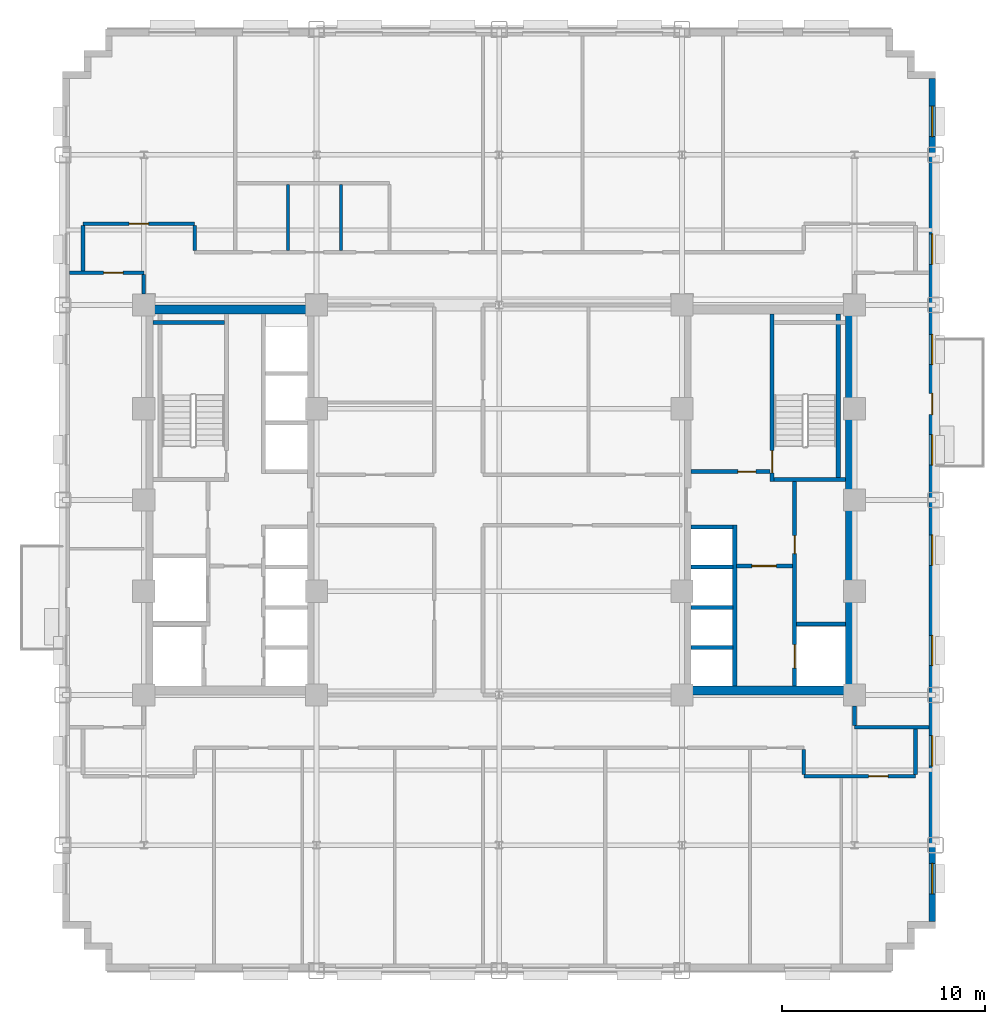
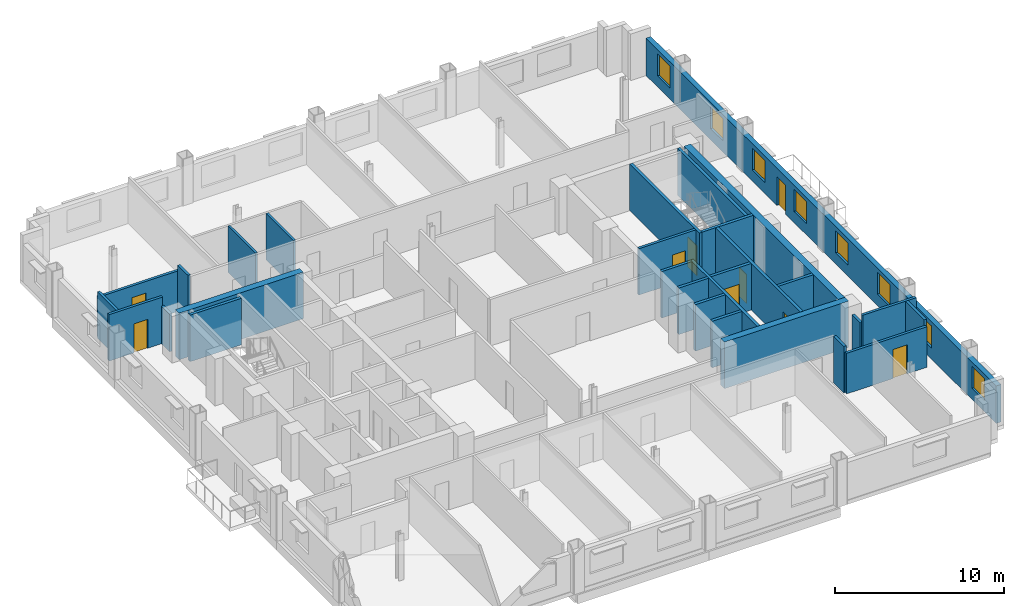
# One storey, part 8 of 14: 29 walls, 9 doors, 8 windows, 17 openings.
"""IFC4 building model written with IfcOpenShell, lengths in metres."""

import ifcopenshell
import ifcopenshell.guid

model = None  # the IFC model being written
_history = None  # IfcOwnerHistory: only IFC2X3 demands one
_inside = {}  # id of a spatial element -> (the spatial element, [elements in it])
_under = {}  # id of a project, library or spatial element -> (it, [spatial elements below it])
_declared = {}  # id of a project -> (the project, [libraries it declares])
_typed = {}  # id of a type object -> (the type object, [elements of that type])
_made_of = {}  # id of a material, layer set ... -> (it, [elements and type objects made of it])


def new_model(schema):
    """Start an empty IFC model of exactly this schema.

    Asked for "IFC4X3", IfcOpenShell would pick the latest addendum, in which some entities
    have other attributes; the version numbers below select the first issue.
    IFC2X3 requires an IfcOwnerHistory on every rooted entity: one is made here for all.
    """
    global model, _history
    if schema == "IFC4X3":
        model = ifcopenshell.file(schema_version=(4, 3, 0, 0))
    else:
        model = ifcopenshell.file(schema=schema)
    _inside.clear()
    _under.clear()
    _declared.clear()
    _typed.clear()
    _made_of.clear()
    _history = None
    if model.schema == "IFC2X3":
        org = make("IfcOrganization", Name="unknown")
        user = make(
            "IfcPersonAndOrganization",
            ThePerson=make("IfcPerson", FamilyName="unknown"),
            TheOrganization=org,
        )
        app = make(
            "IfcApplication",
            ApplicationDeveloper=org,
            Version="unknown",
            ApplicationFullName="unknown",
            ApplicationIdentifier="unknown",
        )
        _history = make(
            "IfcOwnerHistory",
            OwningUser=user,
            OwningApplication=app,
            ChangeAction="ADDED",
            CreationDate=0,
        )
    return model


def make(cls, **values):
    """One entity of the class cls with the attributes given. An attribute that is None is left unset."""
    return model.create_entity(
        cls, **{name: value for name, value in values.items() if value is not None}
    )


def rooted(cls, **values):
    """An entity with a GlobalId (a new one), such as an element, a storey or a relation."""
    return make(cls, GlobalId=ifcopenshell.guid.new(), OwnerHistory=_history, **values)


def si_unit(unit_type, name, prefix=None):
    """IfcSIUnit, for example si_unit("LENGTHUNIT", "METRE", prefix="MILLI")."""
    return make("IfcSIUnit", UnitType=unit_type, Prefix=prefix, Name=name)


def assignment(units):
    """IfcUnitAssignment: the units of a project."""
    return None if units is None else make("IfcUnitAssignment", Units=units)


def point(xyz):
    """IfcCartesianPoint."""
    return None if xyz is None else make("IfcCartesianPoint", Coordinates=xyz)


def direction(xyz):
    """IfcDirection."""
    return None if xyz is None else make("IfcDirection", DirectionRatios=xyz)


def frame(location, z_axis=None, x_axis=None):
    """IfcAxis2Placement3D, a coordinate frame: its origin and axes. An axis left out is left unset."""
    return make(
        "IfcAxis2Placement3D",
        Location=point(location),
        Axis=direction(z_axis),
        RefDirection=direction(x_axis),
    )


def frame_2d(location, x_axis=None):
    """IfcAxis2Placement2D, a coordinate frame in the plane: its origin and x axis."""
    return make(
        "IfcAxis2Placement2D", Location=point(location), RefDirection=direction(x_axis)
    )


def origin():
    """The frame at (0, 0, 0) with its axes left unset."""
    return frame((0.0, 0.0, 0.0))


def place(relative_to, where):
    """IfcLocalPlacement: puts the frame where relative to a parent placement (None: the world)."""
    return make(
        "IfcLocalPlacement", PlacementRelTo=relative_to, RelativePlacement=where
    )


def context(
    kind, dimensions, precision=None, world=None, true_north=None, identifier=None
):
    """IfcGeometricRepresentationContext, for example the 3D "Model" context."""
    return make(
        "IfcGeometricRepresentationContext",
        ContextIdentifier=identifier,
        ContextType=kind,
        CoordinateSpaceDimension=dimensions,
        Precision=precision,
        WorldCoordinateSystem=world,
        TrueNorth=true_north,
    )


def subcontext(parent, identifier, kind, view, scale=None):
    """IfcGeometricRepresentationSubContext, for example "Body" below "Model"."""
    return make(
        "IfcGeometricRepresentationSubContext",
        ContextIdentifier=identifier,
        ContextType=kind,
        ParentContext=parent,
        TargetScale=scale,
        TargetView=view,
    )


def project(units=None, contexts=None):
    """IfcProject with its units and contexts."""
    return rooted(
        "IfcProject",
        Name="project",
        RepresentationContexts=contexts,
        UnitsInContext=assignment(units),
    )


def spatial(cls, under=None, at=None, **own):
    """A site, building, storey or space (cls), placed at a placement, below another one or the project."""
    s = rooted(cls, ObjectPlacement=at, **own)
    if under is not None:
        _under.setdefault(under.id(), (under, []))[1].append(s)
    return s


def profile(cls, at=None, kind="AREA", **sizes):
    """A parametric profile (cls). Its sizes go by their IFC names, for example OverallWidth=200.0."""
    return make(cls, ProfileType=kind, Position=at, **sizes)


def rectangle(**sizes):
    """IfcRectangleProfileDef."""
    return profile("IfcRectangleProfileDef", **sizes)


def extrude(swept, where, along, depth):
    """IfcExtrudedAreaSolid: the profile swept, set in the frame where, extruded along a direction by depth."""
    return make(
        "IfcExtrudedAreaSolid",
        SweptArea=swept,
        Position=where,
        ExtrudedDirection=direction(along),
        Depth=depth,
    )


def shape(context_of_items, identifier, shape_type, items):
    """IfcShapeRepresentation: the items that make up one representation, for example the "Body"."""
    return make(
        "IfcShapeRepresentation",
        ContextOfItems=context_of_items,
        RepresentationIdentifier=identifier,
        RepresentationType=shape_type,
        Items=items,
    )


def source(mapping_origin, context_of_items, identifier, shape_type, items):
    """IfcRepresentationMap: a shape defined once, which mapped items show again and again."""
    return make(
        "IfcRepresentationMap",
        MappingOrigin=mapping_origin,
        MappedRepresentation=shape(context_of_items, identifier, shape_type, items),
    )


def transform(
    local_origin,
    x_axis=None,
    y_axis=None,
    z_axis=None,
    scale=None,
    scale2=None,
    scale3=None,
    uniform=True,
):
    """IfcCartesianTransformationOperator3D, or its non-uniform kind. x_axis, y_axis, z_axis: its Axis1, 2, 3."""
    if uniform:
        return make(
            "IfcCartesianTransformationOperator3D",
            Axis1=direction(x_axis),
            Axis2=direction(y_axis),
            LocalOrigin=point(local_origin),
            Scale=scale,
            Axis3=direction(z_axis),
        )
    return make(
        "IfcCartesianTransformationOperator3DnonUniform",
        Axis1=direction(x_axis),
        Axis2=direction(y_axis),
        LocalOrigin=point(local_origin),
        Scale=scale,
        Axis3=direction(z_axis),
        Scale2=scale2,
        Scale3=scale3,
    )


def mapped(mapping_source, mapping_target):
    """IfcMappedItem: shows the shape of a source again, moved by a transform."""
    return make(
        "IfcMappedItem", MappingSource=mapping_source, MappingTarget=mapping_target
    )


def material(Name=None, Category=None):
    """IfcMaterial."""
    return make("IfcMaterial", Name=Name, Category=Category)


def layer(
    of_material, thickness, ventilated=None, Name=None, Category=None, Priority=None
):
    """IfcMaterialLayer: one layer of a wall or slab, of a material (None: an air gap)."""
    return make(
        "IfcMaterialLayer",
        Material=of_material,
        LayerThickness=thickness,
        IsVentilated=ventilated,
        Name=Name,
        Category=Category,
        Priority=Priority,
    )


def layer_set(layers, Name=None):
    """IfcMaterialLayerSet."""
    return make("IfcMaterialLayerSet", MaterialLayers=layers, LayerSetName=Name)


def made_of(thing, what):
    """Note that an element or type object is made of a material, layer set ...; save() writes the relation."""
    if what is not None:
        _made_of.setdefault(what.id(), (what, []))[1].append(thing)
    return thing


def type_object(cls, material=None, **own):
    """A type object (cls), such as IfcWallType, which elements share."""
    return made_of(rooted(cls, **own), material)


def type_shapes(of_type, sources):
    """Give a type object the sources (RepresentationMaps) that its elements show as mapped items."""
    of_type.RepresentationMaps = sources


def element(
    cls,
    number,
    at=None,
    inside=None,
    cuts=None,
    type_object=None,
    material=None,
    context=None,
    identifier="Body",
    shape_type=None,
    held_by="IfcProductDefinitionShape",
    body=None,
    shapes=None,
    **own,
):
    """One element of the class cls, such as IfcWall. Its Tag is "e" and its number.

    at: its placement. inside: the storey or other place that contains it. cuts: it is an
    opening in that element (IfcRelVoidsElement). A single representation is given by context,
    identifier, shape_type and body (its items); several are given by shapes. held_by: the class
    of the entity that holds the representations. save() writes the other relations.
    """
    e = rooted(cls, Tag="e%d" % number, ObjectPlacement=at, **own)
    if body is not None:
        shapes = [shape(context, identifier, shape_type, body)]
    if shapes is not None:
        e.Representation = make(held_by, Representations=shapes)
    if inside is not None:
        _inside.setdefault(inside.id(), (inside, []))[1].append(e)
    if cuts is not None:
        rooted(
            "IfcRelVoidsElement", RelatingBuildingElement=cuts, RelatedOpeningElement=e
        )
    if type_object is not None:
        _typed.setdefault(type_object.id(), (type_object, []))[1].append(e)
    return made_of(e, material)


def fill(opening, filler):
    """IfcRelFillsElement: the door or window that sits in an opening."""
    return rooted(
        "IfcRelFillsElement",
        RelatingOpeningElement=opening,
        RelatedBuildingElement=filler,
    )


def aggregate(whole, parts):
    """IfcRelAggregates: a whole, such as a stair, and the parts it consists of."""
    return rooted("IfcRelAggregates", RelatingObject=whole, RelatedObjects=parts)


def save(model, path):
    """Write the relations noted so far, then the file.

    IfcRelAggregates (storeys below a building ...), IfcRelContainedInSpatialStructure (elements
    in a storey), IfcRelDefinesByType, IfcRelAssociatesMaterial and IfcRelDeclares: one each for
    every whole, place, type object, material and project.
    """
    for whole, parts in _under.values():
        aggregate(whole, parts)
    for where, things in _inside.values():
        rooted(
            "IfcRelContainedInSpatialStructure",
            RelatedElements=things,
            RelatingStructure=where,
        )
    for kind, things in _typed.values():
        rooted("IfcRelDefinesByType", RelatedObjects=things, RelatingType=kind)
    for what, things in _made_of.values():
        rooted("IfcRelAssociatesMaterial", RelatedObjects=things, RelatingMaterial=what)
    for by, libraries in _declared.values():
        rooted("IfcRelDeclares", RelatingContext=by, RelatedDefinitions=libraries)
    model.write(path)


model = new_model("IFC4")

# Units and contexts
model_context = context("Model", 3, precision=1e-05, world=origin(), true_north=direction((0.0, 1.0)))
body_context = subcontext(model_context, "Body", "Model", "MODEL_VIEW")
ifc_project = project(units=[si_unit("LENGTHUNIT", "METRE"), si_unit("AREAUNIT", "SQUARE_METRE"), si_unit("VOLUMEUNIT", "CUBIC_METRE"), si_unit("PLANEANGLEUNIT", "RADIAN"), si_unit("MASSUNIT", "GRAM", prefix="KILO")], contexts=[model_context])

# Site, building, storey
site_placement = place(None, origin())
site = spatial("IfcSite", under=ifc_project, at=site_placement, CompositionType="ELEMENT")
building_placement = place(site_placement, origin())
building = spatial("IfcBuilding", under=site, at=building_placement, Name="Nuvemarco Arch Tower", CompositionType="ELEMENT")
storey_placement = place(building_placement, frame((0.0, 0.0, 75.050048828125)))
storey = spatial("IfcBuildingStorey", under=building, at=storey_placement, Name="L19", CompositionType="ELEMENT", Elevation=75.050048828125)

# Wall, openings, door, windows
ifc_material_1 = material(Name="Precast concrete C45/55", Category="concrete")
ifc_layer_1 = layer(ifc_material_1, 0.340087890625, Name="EW-LOW-340")
ifc_layer_set_1 = layer_set([ifc_layer_1], Name="Precast concrete C45/55")
wall_type_1 = type_object("IfcWallType", Name="EW-LOW-340", PredefinedType="STANDARD", material=ifc_layer_set_1)
wall_1_placement = place(storey_placement, frame((21.330078125, -20.763916015625, 0.0), z_axis=(0.0, 0.0, 1.0), x_axis=(0.0, 1.0, 0.0)))
wall_1 = element("IfcWall", 1, at=wall_1_placement, inside=storey, type_object=wall_type_1, Name="L19 exterior precast facade wall 6", PredefinedType="STANDARD", context=body_context, shape_type="SweptSolid", body=[
    extrude(rectangle(XDim=41.52783203125, YDim=0.340087890625, at=frame_2d((20.763916015625, 0.0))), origin(), (0.0, 0.0, 1.0), 2.704833984375),
])
opening_1_placement = place(wall_1_placement, frame((26.01416015625, 0.0, 0.0), z_axis=(0.0, 0.0, 1.0), x_axis=(-1.0, 0.0, 0.0)))
opening_1 = element("IfcOpeningElement", 2, at=opening_1_placement, cuts=wall_1, Name="Opening ED-5", PredefinedType="OPENING", context=body_context, shape_type="SweptSolid", body=[
    extrude(rectangle(XDim=1.050048828125, YDim=2.10009765625, at=frame_2d((0.52490234375, 1.050048828125))), frame((0.0, 0.179931640625, 0.0), z_axis=(0.0, -1.0, 0.0), x_axis=(1.0, 0.0, 0.0)), (0.0, 0.0, 1.0), 0.360107421875),
])
opening_2_placement = place(wall_1_placement, frame((1.37060546875, 0.0, 0.800048828125)))
opening_2 = element("IfcOpeningElement", 3, at=opening_2_placement, cuts=wall_1, Name="Opening WN-11", PredefinedType="OPENING", context=body_context, shape_type="SweptSolid", body=[
    extrude(rectangle(XDim=1.5, YDim=1.60009765625, at=frame_2d((0.75, 0.800048828125))), frame((0.0, 0.179931640625, 0.0), z_axis=(0.0, -1.0, 0.0), x_axis=(1.0, 0.0, 0.0)), (0.0, 0.0, 1.0), 0.360107421875),
])
opening_3_placement = place(wall_1_placement, frame((7.66162109375, 0.0, 0.800048828125)))
opening_3 = element("IfcOpeningElement", 4, at=opening_3_placement, cuts=wall_1, Name="Opening WN-11", PredefinedType="OPENING", context=body_context, shape_type="SweptSolid", body=[
    extrude(rectangle(XDim=1.5, YDim=1.60009765625, at=frame_2d((0.75, 0.800048828125))), frame((0.0, 0.179931640625, 0.0), z_axis=(0.0, -1.0, 0.0), x_axis=(1.0, 0.0, 0.0)), (0.0, 0.0, 1.0), 0.360107421875),
])
opening_4_placement = place(wall_1_placement, frame((12.6025390625, 0.0, 0.800048828125)))
opening_4 = element("IfcOpeningElement", 5, at=opening_4_placement, cuts=wall_1, Name="Opening WN-11", PredefinedType="OPENING", context=body_context, shape_type="SweptSolid", body=[
    extrude(rectangle(XDim=1.5, YDim=1.60009765625, at=frame_2d((0.75, 0.800048828125))), frame((0.0, 0.179931640625, 0.0), z_axis=(0.0, -1.0, 0.0), x_axis=(1.0, 0.0, 0.0)), (0.0, 0.0, 1.0), 0.360107421875),
])
opening_5_placement = place(wall_1_placement, frame((17.54345703125, 0.0, 0.800048828125)))
opening_5 = element("IfcOpeningElement", 6, at=opening_5_placement, cuts=wall_1, Name="Opening WN-11", PredefinedType="OPENING", context=body_context, shape_type="SweptSolid", body=[
    extrude(rectangle(XDim=1.5, YDim=1.60009765625, at=frame_2d((0.75, 0.800048828125))), frame((0.0, 0.179931640625, 0.0), z_axis=(0.0, -1.0, 0.0), x_axis=(1.0, 0.0, 0.0)), (0.0, 0.0, 1.0), 0.360107421875),
])
opening_6_placement = place(wall_1_placement, frame((22.484619140625, 0.0, 0.800048828125)))
opening_6 = element("IfcOpeningElement", 7, at=opening_6_placement, cuts=wall_1, Name="Opening WN-11", PredefinedType="OPENING", context=body_context, shape_type="SweptSolid", body=[
    extrude(rectangle(XDim=1.5, YDim=1.60009765625, at=frame_2d((0.75, 0.800048828125))), frame((0.0, 0.179931640625, 0.0), z_axis=(0.0, -1.0, 0.0), x_axis=(1.0, 0.0, 0.0)), (0.0, 0.0, 1.0), 0.360107421875),
])
opening_7_placement = place(wall_1_placement, frame((27.425537109375, 0.0, 0.800048828125)))
opening_7 = element("IfcOpeningElement", 8, at=opening_7_placement, cuts=wall_1, Name="Opening WN-11", PredefinedType="OPENING", context=body_context, shape_type="SweptSolid", body=[
    extrude(rectangle(XDim=1.5, YDim=1.60009765625, at=frame_2d((0.75, 0.800048828125))), frame((0.0, 0.179931640625, 0.0), z_axis=(0.0, -1.0, 0.0), x_axis=(1.0, 0.0, 0.0)), (0.0, 0.0, 1.0), 0.360107421875),
])
opening_8_placement = place(wall_1_placement, frame((32.366455078125, 0.0, 0.800048828125)))
opening_8 = element("IfcOpeningElement", 9, at=opening_8_placement, cuts=wall_1, Name="Opening WN-11", PredefinedType="OPENING", context=body_context, shape_type="SweptSolid", body=[
    extrude(rectangle(XDim=1.5, YDim=1.60009765625, at=frame_2d((0.75, 0.800048828125))), frame((0.0, 0.179931640625, 0.0), z_axis=(0.0, -1.0, 0.0), x_axis=(1.0, 0.0, 0.0)), (0.0, 0.0, 1.0), 0.360107421875),
])
opening_9_placement = place(wall_1_placement, frame((38.657470703125, 0.0, 0.800048828125)))
opening_9 = element("IfcOpeningElement", 10, at=opening_9_placement, cuts=wall_1, Name="Opening WN-11", PredefinedType="OPENING", context=body_context, shape_type="SweptSolid", body=[
    extrude(rectangle(XDim=1.5, YDim=1.60009765625, at=frame_2d((0.75, 0.800048828125))), frame((0.0, 0.179931640625, 0.0), z_axis=(0.0, -1.0, 0.0), x_axis=(1.0, 0.0, 0.0)), (0.0, 0.0, 1.0), 0.360107421875),
])
ifc_material_2 = material(Name="Anodised bronze and laminated glass", Category="glass")
door_type_1 = type_object("IfcDoorType", Name="DR-EXT-TERR", OperationType="NOTDEFINED", PredefinedType="DOOR", material=ifc_material_2)
shared_shape_1 = source(origin(), body_context, "Body", "SweptSolid", [
    extrude(rectangle(XDim=1.050048828125, YDim=2.10009765625, at=frame_2d((0.52490234375, 1.050048828125))), frame((0.0, 0.02490234375, 0.0), z_axis=(0.0, -1.0, 0.0), x_axis=(1.0, 0.0, 0.0)), (0.0, 0.0, 1.0), 0.050048828125),
])
type_shapes(door_type_1, [shared_shape_1])
door_1_placement = place(opening_1_placement, origin())
door_1 = element("IfcDoor", 11, at=door_1_placement, inside=storey, type_object=door_type_1, Name="L19 spiral terrace access door", OperationType="SINGLE_SWING_RIGHT", OverallHeight=2.10009765625, OverallWidth=1.050048828125, PredefinedType="DOOR", context=body_context, shape_type="MappedRepresentation", body=[
    mapped(shared_shape_1, transform((0.0, 0.0, 0.0), scale=1.0)),
])
fill(opening_1, door_1)
ifc_material_3 = material(Name="Insulated solar-control glass", Category="glass")
window_type = type_object("IfcWindowType", Name="WN-STEP-1500x1850", PartitioningType="SINGLE_PANEL", PredefinedType="WINDOW", material=ifc_material_3)
shared_shape_2 = source(origin(), body_context, "Body", "SweptSolid", [
    extrude(rectangle(XDim=1.5, YDim=1.60009765625, at=frame_2d((0.75, 0.800048828125))), frame((0.0, 0.030029296875, 0.0), z_axis=(0.0, -1.0, 0.0), x_axis=(1.0, 0.0, 0.0)), (0.0, 0.0, 1.0), 0.06005859375),
])
type_shapes(window_type, [shared_shape_2])
window_1_placement = place(opening_2_placement, origin())
window_1 = element("IfcWindow", 12, at=window_1_placement, inside=storey, type_object=window_type, Name="L19 punched facade window 1", OverallHeight=1.60009765625, OverallWidth=1.5, PartitioningType="SINGLE_PANEL", PredefinedType="WINDOW", context=body_context, shape_type="MappedRepresentation", body=[
    mapped(shared_shape_2, transform((0.0, 0.0, 0.0), scale=1.0)),
])
fill(opening_2, window_1)
window_2_placement = place(opening_3_placement, origin())
window_2 = element("IfcWindow", 13, at=window_2_placement, inside=storey, type_object=window_type, Name="L19 punched facade window 2", OverallHeight=1.60009765625, OverallWidth=1.5, PartitioningType="SINGLE_PANEL", PredefinedType="WINDOW", context=body_context, shape_type="MappedRepresentation", body=[
    mapped(shared_shape_2, transform((0.0, 0.0, 0.0), scale=1.0)),
])
fill(opening_3, window_2)
window_3_placement = place(opening_4_placement, origin())
window_3 = element("IfcWindow", 14, at=window_3_placement, inside=storey, type_object=window_type, Name="L19 punched facade window 3", OverallHeight=1.60009765625, OverallWidth=1.5, PartitioningType="SINGLE_PANEL", PredefinedType="WINDOW", context=body_context, shape_type="MappedRepresentation", body=[
    mapped(shared_shape_2, transform((0.0, 0.0, 0.0), scale=1.0)),
])
fill(opening_4, window_3)
window_4_placement = place(opening_5_placement, origin())
window_4 = element("IfcWindow", 15, at=window_4_placement, inside=storey, type_object=window_type, Name="L19 punched facade window 4", OverallHeight=1.60009765625, OverallWidth=1.5, PartitioningType="SINGLE_PANEL", PredefinedType="WINDOW", context=body_context, shape_type="MappedRepresentation", body=[
    mapped(shared_shape_2, transform((0.0, 0.0, 0.0), scale=1.0)),
])
fill(opening_5, window_4)
window_5_placement = place(opening_6_placement, origin())
window_5 = element("IfcWindow", 16, at=window_5_placement, inside=storey, type_object=window_type, Name="L19 punched facade window 5", OverallHeight=1.60009765625, OverallWidth=1.5, PartitioningType="SINGLE_PANEL", PredefinedType="WINDOW", context=body_context, shape_type="MappedRepresentation", body=[
    mapped(shared_shape_2, transform((0.0, 0.0, 0.0), scale=1.0)),
])
fill(opening_6, window_5)
window_6_placement = place(opening_7_placement, origin())
window_6 = element("IfcWindow", 17, at=window_6_placement, inside=storey, type_object=window_type, Name="L19 punched facade window 6", OverallHeight=1.60009765625, OverallWidth=1.5, PartitioningType="SINGLE_PANEL", PredefinedType="WINDOW", context=body_context, shape_type="MappedRepresentation", body=[
    mapped(shared_shape_2, transform((0.0, 0.0, 0.0), scale=1.0)),
])
fill(opening_7, window_6)
window_7_placement = place(opening_8_placement, origin())
window_7 = element("IfcWindow", 18, at=window_7_placement, inside=storey, type_object=window_type, Name="L19 punched facade window 7", OverallHeight=1.60009765625, OverallWidth=1.5, PartitioningType="SINGLE_PANEL", PredefinedType="WINDOW", context=body_context, shape_type="MappedRepresentation", body=[
    mapped(shared_shape_2, transform((0.0, 0.0, 0.0), scale=1.0)),
])
fill(opening_8, window_7)
window_8_placement = place(opening_9_placement, origin())
window_8 = element("IfcWindow", 19, at=window_8_placement, inside=storey, type_object=window_type, Name="L19 punched facade window 8", OverallHeight=1.60009765625, OverallWidth=1.5, PartitioningType="SINGLE_PANEL", PredefinedType="WINDOW", context=body_context, shape_type="MappedRepresentation", body=[
    mapped(shared_shape_2, transform((0.0, 0.0, 0.0), scale=1.0)),
])
fill(opening_9, window_8)

# Walls
ifc_material_4 = material(Name="Concrete C60/75", Category="concrete")
ifc_layer_2 = layer(ifc_material_4, 0.449951171875, Name="WL-CORE-450")
ifc_layer_set_2 = layer_set([ifc_layer_2], Name="Concrete C60/75")
wall_type_2 = type_object("IfcWallType", Name="WL-CORE-450", PredefinedType="SHEAR", material=ifc_layer_set_2)
for number, where, z_axis, x_axis, name in (
    (20, (-17.5, 9.375, 0.0), (0.0, 0.0, 1.0), (1.0, 0.0, 0.0), "L19 W-core shear wall N"),
    (21, (9.0, -9.375, 0.0), (0.0, 0.0, 1.0), (1.0, 0.0, 0.0), "L19 E-core shear wall S"),
):
    element("IfcWall", number, at=place(storey_placement, frame(where, z_axis=z_axis, x_axis=x_axis)), inside=storey, type_object=wall_type_2, Name=name, PredefinedType="SHEAR", context=body_context, shape_type="SweptSolid", body=[
        extrude(rectangle(XDim=8.5, YDim=0.449951171875, at=frame_2d((4.25, 0.0))), origin(), (0.0, 0.0, 1.0), 3.369873046875),
    ])
wall_2_placement = place(storey_placement, frame((17.27490234375, -9.155029296875, 0.0), z_axis=(0.0, 0.0, 1.0), x_axis=(0.0, 1.0, 0.0)))
element("IfcWall", 22, at=wall_2_placement, inside=storey, type_object=wall_type_2, Name="L19 E-core shear wall E", PredefinedType="SHEAR", context=body_context, shape_type="SweptSolid", body=[
    extrude(rectangle(XDim=18.31005859375, YDim=0.449951171875, at=frame_2d((9.155029296875, 0.0))), origin(), (0.0, 0.0, 1.0), 3.369873046875),
])

# Wall, opening, door
ifc_material_5 = material(Name="Fire-rated gypsum drywall partition")
ifc_layer_3 = layer(ifc_material_5, 0.179931640625, Name="WL-CORR-180")
ifc_layer_set_3 = layer_set([ifc_layer_3], Name="Fire-rated gypsum drywall partition")
wall_type_3 = type_object("IfcWallType", Name="WL-CORR-180", PredefinedType="PARTITIONING", material=ifc_layer_set_3)
wall_3_placement = place(storey_placement, frame((9.445068359375, 1.39990234375, 0.0), z_axis=(0.0, 0.0, 1.0), x_axis=(1.0, 0.0, 0.0)))
wall_3 = element("IfcWall", 23, at=wall_3_placement, inside=storey, type_object=wall_type_3, Name="L19 interior wall IW-L19-EK-S", PredefinedType="PARTITIONING", context=body_context, shape_type="SweptSolid", body=[
    extrude(rectangle(XDim=3.89990234375, YDim=0.179931640625, at=frame_2d((1.949951171875, 0.0))), origin(), (0.0, 0.0, 1.0), 3.35986328125),
])
opening_10_placement = place(wall_3_placement, frame((2.31494140625, 0.0, 0.0)))
opening_10 = element("IfcOpeningElement", 24, at=opening_10_placement, cuts=wall_3, Name="Opening FD-4", PredefinedType="OPENING", context=body_context, shape_type="SweptSolid", body=[
    extrude(rectangle(XDim=0.8798828125, YDim=2.10009765625, at=frame_2d((0.43994140625, 1.050048828125))), frame((0.0, 0.099853515625, 0.0), z_axis=(0.0, -1.0, 0.0), x_axis=(1.0, 0.0, 0.0)), (0.0, 0.0, 1.0), 0.199951171875),
])
ifc_material_6 = material(Name="Anodised steel fire door", Category="steel")
door_type_2 = type_object("IfcDoorType", Name="DR-RISER-FD", OperationType="NOTDEFINED", PredefinedType="DOOR", material=ifc_material_6)
shared_shape_3 = source(origin(), body_context, "Body", "SweptSolid", [
    extrude(rectangle(XDim=0.8798828125, YDim=2.10009765625, at=frame_2d((0.43994140625, 1.050048828125))), frame((0.0, 0.02490234375, 0.0), z_axis=(0.0, -1.0, 0.0), x_axis=(1.0, 0.0, 0.0)), (0.0, 0.0, 1.0), 0.050048828125),
])
type_shapes(door_type_2, [shared_shape_3])
door_2_placement = place(opening_10_placement, origin())
door_2 = element("IfcDoor", 25, at=door_2_placement, inside=storey, type_object=door_type_2, Name="L19 door FD-L19-EK1A", OperationType="SINGLE_SWING_RIGHT", OverallHeight=2.10009765625, OverallWidth=0.8798828125, PredefinedType="DOOR", context=body_context, shape_type="MappedRepresentation", body=[
    mapped(shared_shape_3, transform((0.0, 0.0, 0.0), scale=1.0)),
])
fill(opening_10, door_2)

wall_4_placement = place(storey_placement, frame((15.0, -13.60009765625, 0.0), z_axis=(0.0, 0.0, 1.0), x_axis=(1.0, 0.0, 0.0)))
wall_4 = element("IfcWall", 26, at=wall_4_placement, inside=storey, type_object=wall_type_3, Name="L19 interior wall IW-L19-002", PredefinedType="PARTITIONING", context=body_context, shape_type="SweptSolid", body=[
    extrude(rectangle(XDim=5.5, YDim=0.179931640625, at=frame_2d((2.75, 0.0))), origin(), (0.0, 0.0, 1.0), 2.94189453125),
])
opening_11_placement = place(wall_4_placement, frame((3.195068359375, 0.0, 0.0)))
opening_11 = element("IfcOpeningElement", 27, at=opening_11_placement, cuts=wall_4, Name="Opening FD-5", PredefinedType="OPENING", context=body_context, shape_type="SweptSolid", body=[
    extrude(rectangle(XDim=0.9599609375, YDim=2.10009765625, at=frame_2d((0.47998046875, 1.050048828125))), frame((0.0, 0.099853515625, 0.0), z_axis=(0.0, -1.0, 0.0), x_axis=(1.0, 0.0, 0.0)), (0.0, 0.0, 1.0), 0.199951171875),
])
ifc_material_7 = material(Name="Timber fire door", Category="wood")
door_type_3 = type_object("IfcDoorType", Name="DR-CORR-FD", OperationType="NOTDEFINED", PredefinedType="DOOR", material=ifc_material_7)
shared_shape_4 = source(origin(), body_context, "Body", "SweptSolid", [
    extrude(rectangle(XDim=0.9599609375, YDim=2.10009765625, at=frame_2d((0.47998046875, 1.050048828125))), frame((0.0, 0.02490234375, 0.0), z_axis=(0.0, -1.0, 0.0), x_axis=(1.0, 0.0, 0.0)), (0.0, 0.0, 1.0), 0.050048828125),
])
type_shapes(door_type_3, [shared_shape_4])
door_3_placement = place(opening_11_placement, origin())
door_3 = element("IfcDoor", 28, at=door_3_placement, inside=storey, type_object=door_type_3, Name="L19 door DR-L19-S_8", OperationType="SINGLE_SWING_RIGHT", OverallHeight=2.10009765625, OverallWidth=0.9599609375, PredefinedType="DOOR", context=body_context, shape_type="MappedRepresentation", body=[
    mapped(shared_shape_4, transform((0.0, 0.0, 0.0), scale=1.0)),
])
fill(opening_11, door_3)

# Wall
wall_5_placement = place(storey_placement, frame((17.5, -11.199951171875, 0.0), z_axis=(0.0, 0.0, 1.0), x_axis=(1.0, 0.0, 0.0)))
element("IfcWall", 29, at=wall_5_placement, inside=storey, type_object=wall_type_3, Name="L19 interior wall IW-L19-005", PredefinedType="PARTITIONING", context=body_context, shape_type="SweptSolid", body=[
    extrude(rectangle(XDim=3.659912109375, YDim=0.179931640625, at=frame_2d((1.830078125, 0.0))), origin(), (0.0, 0.0, 1.0), 3.35986328125),
])

# Wall, opening, door
wall_6_placement = place(storey_placement, frame((-21.159912109375, 11.199951171875, 0.0), z_axis=(0.0, 0.0, 1.0), x_axis=(1.0, 0.0, 0.0)))
wall_6 = element("IfcWall", 30, at=wall_6_placement, inside=storey, type_object=wall_type_3, Name="L19 interior wall IW-L19-018", PredefinedType="PARTITIONING", context=body_context, shape_type="SweptSolid", body=[
    extrude(rectangle(XDim=3.659912109375, YDim=0.179931640625, at=frame_2d((1.830078125, 0.0))), origin(), (0.0, 0.0, 1.0), 3.35986328125),
])
opening_12_placement = place(wall_6_placement, frame((1.679931640625, 0.0, 0.0)))
opening_12 = element("IfcOpeningElement", 31, at=opening_12_placement, cuts=wall_6, Name="Opening FD-5", PredefinedType="OPENING", context=body_context, shape_type="SweptSolid", body=[
    extrude(rectangle(XDim=0.9599609375, YDim=2.10009765625, at=frame_2d((0.47998046875, 1.050048828125))), frame((0.0, 0.099853515625, 0.0), z_axis=(0.0, -1.0, 0.0), x_axis=(1.0, 0.0, 0.0)), (0.0, 0.0, 1.0), 0.199951171875),
])
door_4_placement = place(opening_12_placement, origin())
door_4 = element("IfcDoor", 32, at=door_4_placement, inside=storey, type_object=door_type_3, Name="L19 door DR-L19-W_2", OperationType="SINGLE_SWING_RIGHT", OverallHeight=2.10009765625, OverallWidth=0.9599609375, PredefinedType="DOOR", context=body_context, shape_type="MappedRepresentation", body=[
    mapped(shared_shape_4, transform((0.0, 0.0, 0.0), scale=1.0)),
])
fill(opening_12, door_4)

wall_7_placement = place(storey_placement, frame((-20.5, 13.60009765625, 0.0), z_axis=(0.0, 0.0, 1.0), x_axis=(1.0, 0.0, 0.0)))
wall_7 = element("IfcWall", 33, at=wall_7_placement, inside=storey, type_object=wall_type_3, Name="L19 interior wall IW-L19-021", PredefinedType="PARTITIONING", context=body_context, shape_type="SweptSolid", body=[
    extrude(rectangle(XDim=5.5, YDim=0.179931640625, at=frame_2d((2.75, 0.0))), origin(), (0.0, 0.0, 1.0), 2.94189453125),
])
opening_13_placement = place(wall_7_placement, frame((2.27001953125, 0.0, 0.0)))
opening_13 = element("IfcOpeningElement", 34, at=opening_13_placement, cuts=wall_7, Name="Opening FD-5", PredefinedType="OPENING", context=body_context, shape_type="SweptSolid", body=[
    extrude(rectangle(XDim=0.9599609375, YDim=2.10009765625, at=frame_2d((0.47998046875, 1.050048828125))), frame((0.0, 0.099853515625, 0.0), z_axis=(0.0, -1.0, 0.0), x_axis=(1.0, 0.0, 0.0)), (0.0, 0.0, 1.0), 0.199951171875),
])
door_5_placement = place(opening_13_placement, origin())
door_5 = element("IfcDoor", 35, at=door_5_placement, inside=storey, type_object=door_type_3, Name="L19 door DR-L19-N_1", OperationType="SINGLE_SWING_RIGHT", OverallHeight=2.10009765625, OverallWidth=0.9599609375, PredefinedType="DOOR", context=body_context, shape_type="MappedRepresentation", body=[
    mapped(shared_shape_4, transform((0.0, 0.0, 0.0), scale=1.0)),
])
fill(opening_13, door_5)

# Walls
wall_8_placement = place(storey_placement, frame((-20.5, 11.285888671875, 0.0), z_axis=(0.0, 0.0, 1.0), x_axis=(0.0, 1.0, 0.0)))
element("IfcWall", 36, at=wall_8_placement, inside=storey, type_object=wall_type_3, Name="L19 interior wall IW-L19-025", PredefinedType="PARTITIONING", context=body_context, shape_type="SweptSolid", body=[
    extrude(rectangle(XDim=2.22802734375, YDim=0.179931640625, at=frame_2d((1.114013671875, 0.0))), origin(), (0.0, 0.0, 1.0), 3.35986328125),
])
wall_9_placement = place(storey_placement, frame((-17.5, 10.14599609375, 0.0), z_axis=(0.0, 0.0, 1.0), x_axis=(0.0, 1.0, 0.0)))
element("IfcWall", 37, at=wall_9_placement, inside=storey, type_object=wall_type_3, Name="L19 interior wall IW-L19-027", PredefinedType="PARTITIONING", context=body_context, shape_type="SweptSolid", body=[
    extrude(rectangle(XDim=0.968017578125, YDim=0.179931640625, at=frame_2d((0.48388671875, 0.0))), origin(), (0.0, 0.0, 1.0), 2.738037109375),
])
for number, where, z_axis, x_axis, name in (
    (38, (-15.0, 12.285888671875, 0.0), (0.0, 0.0, 1.0), (0.0, 1.0, 0.0), "L19 interior wall IW-L19-029"),
    (39, (15.0, -13.513916015625, 0.0), (0.0, 0.0, 1.0), (0.0, 1.0, 0.0), "L19 interior wall IW-L19-048"),
):
    element("IfcWall", number, at=place(storey_placement, frame(where, z_axis=z_axis, x_axis=x_axis)), inside=storey, type_object=wall_type_3, Name=name, PredefinedType="PARTITIONING", context=body_context, shape_type="SweptSolid", body=[
        extrude(rectangle(XDim=1.22802734375, YDim=0.179931640625, at=frame_2d((0.614013671875, 0.0))), origin(), (0.0, 0.0, 1.0), 3.35986328125),
    ])
wall_10_placement = place(storey_placement, frame((17.5, -11.114013671875, 0.0), z_axis=(0.0, 0.0, 1.0), x_axis=(0.0, 1.0, 0.0)))
element("IfcWall", 40, at=wall_10_placement, inside=storey, type_object=wall_type_3, Name="L19 interior wall IW-L19-051", PredefinedType="PARTITIONING", context=body_context, shape_type="SweptSolid", body=[
    extrude(rectangle(XDim=0.968017578125, YDim=0.179931640625, at=frame_2d((0.48388671875, 0.0))), origin(), (0.0, 0.0, 1.0), 2.738037109375),
])
wall_11_placement = place(storey_placement, frame((20.5, -13.513916015625, 0.0), z_axis=(0.0, 0.0, 1.0), x_axis=(0.0, 1.0, 0.0)))
element("IfcWall", 41, at=wall_11_placement, inside=storey, type_object=wall_type_3, Name="L19 interior wall IW-L19-053", PredefinedType="PARTITIONING", context=body_context, shape_type="SweptSolid", body=[
    extrude(rectangle(XDim=2.22802734375, YDim=0.179931640625, at=frame_2d((1.114013671875, 0.0))), origin(), (0.0, 0.0, 1.0), 3.35986328125),
])
ifc_material_8 = material(Name="Concrete C50/60", Category="concrete")
ifc_layer_4 = layer(ifc_material_8, 0.199951171875, Name="WL-SHAFT-220")
ifc_layer_set_4 = layer_set([ifc_layer_4], Name="Concrete C50/60")
wall_type_4 = type_object("IfcWallType", Name="WL-SHAFT-220", PredefinedType="SHEAR", material=ifc_layer_set_4)
wall_12_placement = place(storey_placement, frame((-17.054931640625, 8.75, 0.0), z_axis=(0.0, 0.0, 1.0), x_axis=(1.0, 0.0, 0.0)))
element("IfcWall", 42, at=wall_12_placement, inside=storey, type_object=wall_type_4, Name="L19 structural shaft wall SW-L19-W-ST1N", PredefinedType="SHEAR", context=body_context, shape_type="SweptSolid", body=[
    extrude(rectangle(XDim=3.52001953125, YDim=0.199951171875, at=frame_2d((1.760009765625, 0.0))), origin(), (0.0, 0.0, 1.0), 3.369873046875),
])

# Wall, opening, door
wall_13_placement = place(storey_placement, frame((13.43994140625, 0.89990234375, 0.0), z_axis=(0.0, 0.0, 1.0), x_axis=(0.0, 1.0, 0.0)))
wall_13 = element("IfcWall", 43, at=wall_13_placement, inside=storey, type_object=wall_type_4, Name="L19 structural shaft wall SW-L19-E-ST2W", PredefinedType="SHEAR", context=body_context, shape_type="SweptSolid", body=[
    extrude(rectangle(XDim=8.255126953125, YDim=0.199951171875, at=frame_2d((4.12744140625, 0.0))), origin(), (0.0, 0.0, 1.0), 3.369873046875),
])
opening_14_placement = place(wall_13_placement, frame((0.429931640625, 0.0, 0.0)))
opening_14 = element("IfcOpeningElement", 44, at=opening_14_placement, cuts=wall_13, Name="Opening FD-1", PredefinedType="OPENING", context=body_context, shape_type="SweptSolid", body=[
    extrude(rectangle(XDim=1.10009765625, YDim=2.14990234375, at=frame_2d((0.550048828125, 1.074951171875))), frame((0.0, 0.10986328125, 0.0), z_axis=(0.0, -1.0, 0.0), x_axis=(1.0, 0.0, 0.0)), (0.0, 0.0, 1.0), 0.219970703125),
])
door_type_4 = type_object("IfcDoorType", Name="DR-STAIR-FD", OperationType="NOTDEFINED", PredefinedType="DOOR", material=ifc_material_6)
shared_shape_5 = source(origin(), body_context, "Body", "SweptSolid", [
    extrude(rectangle(XDim=1.10009765625, YDim=2.14990234375, at=frame_2d((0.550048828125, 1.074951171875))), frame((0.0, 0.02490234375, 0.0), z_axis=(0.0, -1.0, 0.0), x_axis=(1.0, 0.0, 0.0)), (0.0, 0.0, 1.0), 0.050048828125),
])
type_shapes(door_type_4, [shared_shape_5])
door_6_placement = place(opening_14_placement, origin())
door_6 = element("IfcDoor", 45, at=door_6_placement, inside=storey, type_object=door_type_4, Name="L19 door FD-L19-ST2", OperationType="SINGLE_SWING_LEFT", OverallHeight=2.14990234375, OverallWidth=1.10009765625, PredefinedType="DOOR", context=body_context, shape_type="MappedRepresentation", body=[
    mapped(shared_shape_5, transform((0.0, 0.0, 0.0), scale=1.0)),
])
fill(opening_14, door_6)

# Walls
wall_14_placement = place(storey_placement, frame((13.534912109375, 1.0, 0.0), z_axis=(0.0, 0.0, 1.0), x_axis=(1.0, 0.0, 0.0)))
element("IfcWall", 46, at=wall_14_placement, inside=storey, type_object=wall_type_4, Name="L19 structural shaft wall SW-L19-E-ST2S", PredefinedType="SHEAR", context=body_context, shape_type="SweptSolid", body=[
    extrude(rectangle(XDim=3.52001953125, YDim=0.199951171875, at=frame_2d((1.760009765625, 0.0))), origin(), (0.0, 0.0, 1.0), 3.369873046875),
])
wall_15_placement = place(storey_placement, frame((16.699951171875, 1.094970703125, 0.0), z_axis=(0.0, 0.0, 1.0), x_axis=(0.0, 1.0, 0.0)))
element("IfcWall", 47, at=wall_15_placement, inside=storey, type_object=wall_type_4, Name="L19 structural shaft wall SW-L19-E-ST2E", PredefinedType="SHEAR", context=body_context, shape_type="SweptSolid", body=[
    extrude(rectangle(XDim=8.06005859375, YDim=0.199951171875, at=frame_2d((4.030029296875, 0.0))), origin(), (0.0, 0.0, 1.0), 3.369873046875),
])

# Wall, openings, doors
wall_16_placement = place(storey_placement, frame((14.550048828125, -9.155029296875, 0.0), z_axis=(0.0, 0.0, 1.0), x_axis=(0.0, 1.0, 0.0)))
wall_16 = element("IfcWall", 48, at=wall_16_placement, inside=storey, type_object=wall_type_4, Name="L19 structural shaft wall SW-L19-E-SHW", PredefinedType="SHEAR", context=body_context, shape_type="SweptSolid", body=[
    extrude(rectangle(XDim=10.06005859375, YDim=0.199951171875, at=frame_2d((5.030029296875, 0.0))), origin(), (0.0, 0.0, 1.0), 3.369873046875),
])
opening_15_placement = place(wall_16_placement, frame((6.514892578125, 0.0, 0.0)))
opening_15 = element("IfcOpeningElement", 49, at=opening_15_placement, cuts=wall_16, Name="Opening FD-4", PredefinedType="OPENING", context=body_context, shape_type="SweptSolid", body=[
    extrude(rectangle(XDim=0.8798828125, YDim=2.10009765625, at=frame_2d((0.43994140625, 1.050048828125))), frame((0.0, 0.10986328125, 0.0), z_axis=(0.0, -1.0, 0.0), x_axis=(1.0, 0.0, 0.0)), (0.0, 0.0, 1.0), 0.219970703125),
])
opening_16_placement = place(wall_16_placement, frame((0.8798828125, 0.0, 0.0)))
opening_16 = element("IfcOpeningElement", 50, at=opening_16_placement, cuts=wall_16, Name="Opening LD-2", PredefinedType="OPENING", context=body_context, shape_type="SweptSolid", body=[
    extrude(rectangle(XDim=1.14990234375, YDim=2.14990234375, at=frame_2d((0.574951171875, 1.074951171875))), frame((0.0, 0.10986328125, 0.0), z_axis=(0.0, -1.0, 0.0), x_axis=(1.0, 0.0, 0.0)), (0.0, 0.0, 1.0), 0.219970703125),
])
door_7_placement = place(opening_15_placement, origin())
door_7 = element("IfcDoor", 51, at=door_7_placement, inside=storey, type_object=door_type_2, Name="L19 door FD-L19-ERIS", OperationType="SINGLE_SWING_LEFT", OverallHeight=2.10009765625, OverallWidth=0.8798828125, PredefinedType="DOOR", context=body_context, shape_type="MappedRepresentation", body=[
    mapped(shared_shape_3, transform((0.0, 0.0, 0.0), scale=1.0)),
])
fill(opening_15, door_7)
ifc_material_9 = material(Name="Stainless steel lift door", Category="steel")
door_type_5 = type_object("IfcDoorType", Name="DR-LIFT-FIRE", OperationType="DOUBLE_DOOR_SLIDING", PredefinedType="DOOR", material=ifc_material_9)
shared_shape_6 = source(origin(), body_context, "Body", "SweptSolid", [
    extrude(rectangle(XDim=1.14990234375, YDim=2.14990234375, at=frame_2d((0.574951171875, 1.074951171875))), frame((0.0, 0.02490234375, 0.0), z_axis=(0.0, -1.0, 0.0), x_axis=(1.0, 0.0, 0.0)), (0.0, 0.0, 1.0), 0.050048828125),
])
type_shapes(door_type_5, [shared_shape_6])
door_8_placement = place(opening_16_placement, origin())
door_8 = element("IfcDoor", 52, at=door_8_placement, inside=storey, type_object=door_type_5, Name="L19 Lift landing sliding door FFL-2", OperationType="DOUBLE_DOOR_SLIDING", OverallHeight=2.14990234375, OverallWidth=1.14990234375, PredefinedType="DOOR", context=body_context, shape_type="MappedRepresentation", body=[
    mapped(shared_shape_6, transform((0.0, 0.0, 0.0), scale=1.0)),
])
fill(opening_16, door_8)

# Walls
wall_17_placement = place(storey_placement, frame((14.64501953125, -6.10009765625, 0.0), z_axis=(0.0, 0.0, 1.0), x_axis=(1.0, 0.0, 0.0)))
element("IfcWall", 53, at=wall_17_placement, inside=storey, type_object=wall_type_4, Name="L19 structural shaft wall SW-L19-E-SH1", PredefinedType="SHEAR", context=body_context, shape_type="SweptSolid", body=[
    extrude(rectangle(XDim=2.409912109375, YDim=0.199951171875, at=frame_2d((1.205078125, 0.0))), origin(), (0.0, 0.0, 1.0), 3.369873046875),
])
wall_18_placement = place(storey_placement, frame((11.60009765625, -9.155029296875, 0.0), z_axis=(0.0, 0.0, 1.0), x_axis=(0.0, 1.0, 0.0)))
element("IfcWall", 54, at=wall_18_placement, inside=storey, type_object=wall_type_4, Name="L19 structural shaft wall SW-L19-E-PME", PredefinedType="SHEAR", context=body_context, shape_type="SweptSolid", body=[
    extrude(rectangle(XDim=7.925048828125, YDim=0.199951171875, at=frame_2d((3.96240234375, 0.0))), origin(), (0.0, 0.0, 1.0), 3.369873046875),
])

# Wall, opening, door
wall_19_placement = place(storey_placement, frame((11.695068359375, -3.25, 0.0), z_axis=(0.0, 0.0, 1.0), x_axis=(1.0, 0.0, 0.0)))
wall_19 = element("IfcWall", 55, at=wall_19_placement, inside=storey, type_object=wall_type_4, Name="L19 structural shaft wall SW-L19-E-FFN", PredefinedType="SHEAR", context=body_context, shape_type="SweptSolid", body=[
    extrude(rectangle(XDim=2.760009765625, YDim=0.199951171875, at=frame_2d((1.3798828125, 0.0))), origin(), (0.0, 0.0, 1.0), 3.369873046875),
])
opening_17_placement = place(wall_19_placement, frame((0.7548828125, 0.0, 0.0)))
opening_17 = element("IfcOpeningElement", 56, at=opening_17_placement, cuts=wall_19, Name="Opening FD-2", PredefinedType="OPENING", context=body_context, shape_type="SweptSolid", body=[
    extrude(rectangle(XDim=1.199951171875, YDim=2.14990234375, at=frame_2d((0.60009765625, 1.074951171875))), frame((0.0, 0.10986328125, 0.0), z_axis=(0.0, -1.0, 0.0), x_axis=(1.0, 0.0, 0.0)), (0.0, 0.0, 1.0), 0.219970703125),
])
door_type_6 = type_object("IfcDoorType", Name="DR-FFLOB-FD", OperationType="NOTDEFINED", PredefinedType="DOOR", material=ifc_material_6)
shared_shape_7 = source(origin(), body_context, "Body", "SweptSolid", [
    extrude(rectangle(XDim=1.199951171875, YDim=2.14990234375, at=frame_2d((0.60009765625, 1.074951171875))), frame((0.0, 0.02490234375, 0.0), z_axis=(0.0, -1.0, 0.0), x_axis=(1.0, 0.0, 0.0)), (0.0, 0.0, 1.0), 0.050048828125),
])
type_shapes(door_type_6, [shared_shape_7])
door_9_placement = place(opening_17_placement, origin())
door_9 = element("IfcDoor", 57, at=door_9_placement, inside=storey, type_object=door_type_6, Name="L19 door FD-L19-EFF2", OperationType="SINGLE_SWING_LEFT", OverallHeight=2.14990234375, OverallWidth=1.199951171875, PredefinedType="DOOR", context=body_context, shape_type="MappedRepresentation", body=[
    mapped(shared_shape_7, transform((0.0, 0.0, 0.0), scale=1.0)),
])
fill(opening_17, door_9)

# Walls
for number, where, z_axis, x_axis, name in (
    (58, (9.445068359375, -7.27001953125, 0.0), (0.0, 0.0, 1.0), (1.0, 0.0, 0.0), "L19 structural shaft wall SW-L19-E-PMD1"),
    (59, (9.445068359375, -5.2900390625, 0.0), (0.0, 0.0, 1.0), (1.0, 0.0, 0.0), "L19 structural shaft wall SW-L19-E-PMD2"),
    (60, (9.445068359375, -3.31005859375, 0.0), (0.0, 0.0, 1.0), (1.0, 0.0, 0.0), "L19 structural shaft wall SW-L19-E-PMD3"),
    (61, (9.445068359375, -1.330078125, 0.0), (0.0, 0.0, 1.0), (1.0, 0.0, 0.0), "L19 structural shaft wall SW-L19-E-PMD4"),
):
    element("IfcWall", number, at=place(storey_placement, frame(where, z_axis=z_axis, x_axis=x_axis)), inside=storey, type_object=wall_type_4, Name=name, PredefinedType="SHEAR", context=body_context, shape_type="SweptSolid", body=[
        extrude(rectangle(XDim=2.059814453125, YDim=0.199951171875, at=frame_2d((1.02978515625, 0.0))), origin(), (0.0, 0.0, 1.0), 3.369873046875),
    ])
ifc_material_10 = material(Name="Moisture-resistant gypsum partition")
ifc_layer_5 = layer(ifc_material_10, 0.14990234375, Name="WL-WET-150")
ifc_layer_set_5 = layer_set([ifc_layer_5], Name="Moisture-resistant gypsum partition")
wall_type_5 = type_object("IfcWallType", Name="WL-WET-150", PredefinedType="PARTITIONING", material=ifc_layer_set_5)
for number, where, z_axis, x_axis, name in (
    (62, (-10.39990234375, 12.285888671875, 0.0), (0.0, 0.0, 1.0), (0.0, 1.0, 0.0), "L19 interior wall IW-L19-032"),
    (63, (-7.800048828125, 12.285888671875, 0.0), (0.0, 0.0, 1.0), (0.0, 1.0, 0.0), "L19 interior wall IW-L19-034"),
):
    element("IfcWall", number, at=place(storey_placement, frame(where, z_axis=z_axis, x_axis=x_axis)), inside=storey, type_object=wall_type_5, Name=name, PredefinedType="PARTITIONING", context=body_context, shape_type="SweptSolid", body=[
        extrude(rectangle(XDim=3.2431640625, YDim=0.14990234375, at=frame_2d((1.62158203125, 0.0))), origin(), (0.0, 0.0, 1.0), 3.35986328125),
    ])

save(model, "model.ifc")
